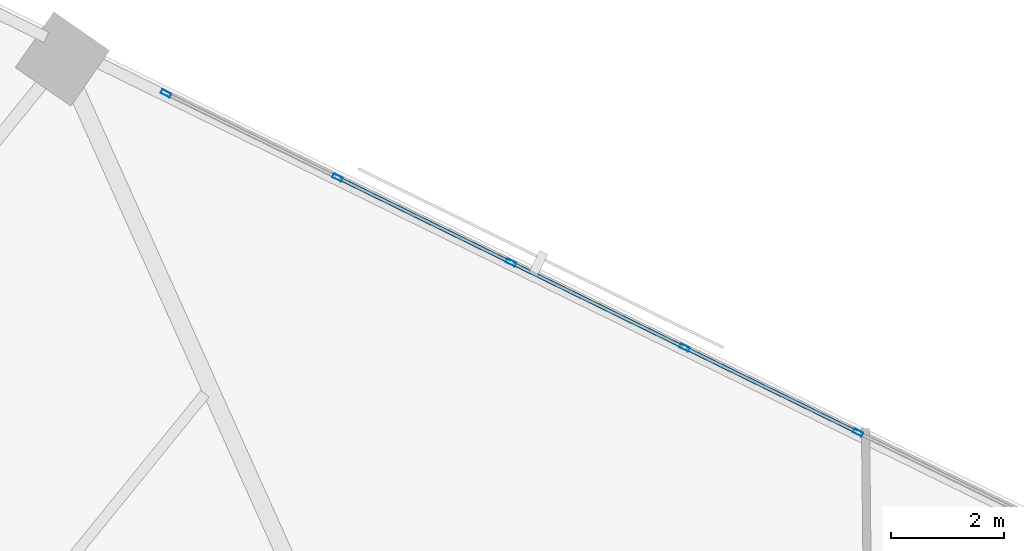
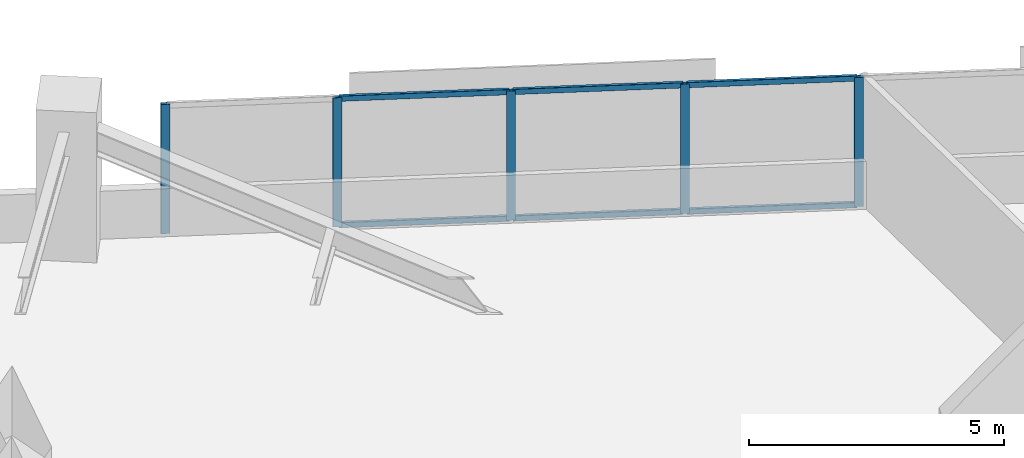
# One storey, part 10 of 20: 11 members, 1 element without a shape of its own.
"""IFC4 building model written with IfcOpenShell, lengths in metres."""

import ifcopenshell
import ifcopenshell.guid

model = None  # the IFC model being written
_history = None  # IfcOwnerHistory: only IFC2X3 demands one
_inside = {}  # id of a spatial element -> (the spatial element, [elements in it])
_under = {}  # id of a project, library or spatial element -> (it, [spatial elements below it])
_declared = {}  # id of a project -> (the project, [libraries it declares])
_typed = {}  # id of a type object -> (the type object, [elements of that type])
_made_of = {}  # id of a material, layer set ... -> (it, [elements and type objects made of it])


def new_model(schema):
    """Start an empty IFC model of exactly this schema.

    Asked for "IFC4X3", IfcOpenShell would pick the latest addendum, in which some entities
    have other attributes; the version numbers below select the first issue.
    IFC2X3 requires an IfcOwnerHistory on every rooted entity: one is made here for all.
    """
    global model, _history
    if schema == "IFC4X3":
        model = ifcopenshell.file(schema_version=(4, 3, 0, 0))
    else:
        model = ifcopenshell.file(schema=schema)
    _inside.clear()
    _under.clear()
    _declared.clear()
    _typed.clear()
    _made_of.clear()
    _history = None
    if model.schema == "IFC2X3":
        org = make("IfcOrganization", Name="unknown")
        user = make(
            "IfcPersonAndOrganization",
            ThePerson=make("IfcPerson", FamilyName="unknown"),
            TheOrganization=org,
        )
        app = make(
            "IfcApplication",
            ApplicationDeveloper=org,
            Version="unknown",
            ApplicationFullName="unknown",
            ApplicationIdentifier="unknown",
        )
        _history = make(
            "IfcOwnerHistory",
            OwningUser=user,
            OwningApplication=app,
            ChangeAction="ADDED",
            CreationDate=0,
        )
    return model


def make(cls, **values):
    """One entity of the class cls with the attributes given. An attribute that is None is left unset."""
    return model.create_entity(
        cls, **{name: value for name, value in values.items() if value is not None}
    )


def rooted(cls, **values):
    """An entity with a GlobalId (a new one), such as an element, a storey or a relation."""
    return make(cls, GlobalId=ifcopenshell.guid.new(), OwnerHistory=_history, **values)


def si_unit(unit_type, name, prefix=None):
    """IfcSIUnit, for example si_unit("LENGTHUNIT", "METRE", prefix="MILLI")."""
    return make("IfcSIUnit", UnitType=unit_type, Prefix=prefix, Name=name)


def assignment(units):
    """IfcUnitAssignment: the units of a project."""
    return None if units is None else make("IfcUnitAssignment", Units=units)


def point(xyz):
    """IfcCartesianPoint."""
    return None if xyz is None else make("IfcCartesianPoint", Coordinates=xyz)


def direction(xyz):
    """IfcDirection."""
    return None if xyz is None else make("IfcDirection", DirectionRatios=xyz)


def frame(location, z_axis=None, x_axis=None):
    """IfcAxis2Placement3D, a coordinate frame: its origin and axes. An axis left out is left unset."""
    return make(
        "IfcAxis2Placement3D",
        Location=point(location),
        Axis=direction(z_axis),
        RefDirection=direction(x_axis),
    )


def frame_2d(location, x_axis=None):
    """IfcAxis2Placement2D, a coordinate frame in the plane: its origin and x axis."""
    return make(
        "IfcAxis2Placement2D", Location=point(location), RefDirection=direction(x_axis)
    )


def origin():
    """The frame at (0, 0, 0) with its axes left unset."""
    return frame((0.0, 0.0, 0.0))


def origin_2d():
    """The frame at (0, 0) in the plane with its x axis left unset."""
    return frame_2d((0.0, 0.0))


def place(relative_to, where):
    """IfcLocalPlacement: puts the frame where relative to a parent placement (None: the world)."""
    return make(
        "IfcLocalPlacement", PlacementRelTo=relative_to, RelativePlacement=where
    )


def context(
    kind, dimensions, precision=None, world=None, true_north=None, identifier=None
):
    """IfcGeometricRepresentationContext, for example the 3D "Model" context."""
    return make(
        "IfcGeometricRepresentationContext",
        ContextIdentifier=identifier,
        ContextType=kind,
        CoordinateSpaceDimension=dimensions,
        Precision=precision,
        WorldCoordinateSystem=world,
        TrueNorth=true_north,
    )


def subcontext(parent, identifier, kind, view, scale=None):
    """IfcGeometricRepresentationSubContext, for example "Body" below "Model"."""
    return make(
        "IfcGeometricRepresentationSubContext",
        ContextIdentifier=identifier,
        ContextType=kind,
        ParentContext=parent,
        TargetScale=scale,
        TargetView=view,
    )


def project(units=None, contexts=None):
    """IfcProject with its units and contexts."""
    return rooted(
        "IfcProject",
        Name="project",
        RepresentationContexts=contexts,
        UnitsInContext=assignment(units),
    )


def spatial(cls, under=None, at=None, **own):
    """A site, building, storey or space (cls), placed at a placement, below another one or the project."""
    s = rooted(cls, ObjectPlacement=at, **own)
    if under is not None:
        _under.setdefault(under.id(), (under, []))[1].append(s)
    return s


def profile(cls, at=None, kind="AREA", **sizes):
    """A parametric profile (cls). Its sizes go by their IFC names, for example OverallWidth=200.0."""
    return make(cls, ProfileType=kind, Position=at, **sizes)


def hollow_rectangle(**sizes):
    """IfcRectangleHollowProfileDef."""
    return profile("IfcRectangleHollowProfileDef", **sizes)


def extrude(swept, where, along, depth):
    """IfcExtrudedAreaSolid: the profile swept, set in the frame where, extruded along a direction by depth."""
    return make(
        "IfcExtrudedAreaSolid",
        SweptArea=swept,
        Position=where,
        ExtrudedDirection=direction(along),
        Depth=depth,
    )


def shape(context_of_items, identifier, shape_type, items):
    """IfcShapeRepresentation: the items that make up one representation, for example the "Body"."""
    return make(
        "IfcShapeRepresentation",
        ContextOfItems=context_of_items,
        RepresentationIdentifier=identifier,
        RepresentationType=shape_type,
        Items=items,
    )


def material(Name=None, Category=None):
    """IfcMaterial."""
    return make("IfcMaterial", Name=Name, Category=Category)


def material_profile(
    of_material, cross_section, Name=None, Category=None, Priority=None
):
    """IfcMaterialProfile: a cross section and its material."""
    return make(
        "IfcMaterialProfile",
        Name=Name,
        Material=of_material,
        Profile=cross_section,
        Priority=Priority,
        Category=Category,
    )


def profile_set(profiles, Name=None, composite=None):
    """IfcMaterialProfileSet."""
    return make(
        "IfcMaterialProfileSet",
        Name=Name,
        MaterialProfiles=profiles,
        CompositeProfile=composite,
    )


def made_of(thing, what):
    """Note that an element or type object is made of a material, layer set ...; save() writes the relation."""
    if what is not None:
        _made_of.setdefault(what.id(), (what, []))[1].append(thing)
    return thing


def type_object(cls, material=None, **own):
    """A type object (cls), such as IfcWallType, which elements share."""
    return made_of(rooted(cls, **own), material)


def element(
    cls,
    number,
    at=None,
    inside=None,
    cuts=None,
    type_object=None,
    material=None,
    context=None,
    identifier="Body",
    shape_type=None,
    held_by="IfcProductDefinitionShape",
    body=None,
    shapes=None,
    **own,
):
    """One element of the class cls, such as IfcWall. Its Tag is "e" and its number.

    at: its placement. inside: the storey or other place that contains it. cuts: it is an
    opening in that element (IfcRelVoidsElement). A single representation is given by context,
    identifier, shape_type and body (its items); several are given by shapes. held_by: the class
    of the entity that holds the representations. save() writes the other relations.
    """
    e = rooted(cls, Tag="e%d" % number, ObjectPlacement=at, **own)
    if body is not None:
        shapes = [shape(context, identifier, shape_type, body)]
    if shapes is not None:
        e.Representation = make(held_by, Representations=shapes)
    if inside is not None:
        _inside.setdefault(inside.id(), (inside, []))[1].append(e)
    if cuts is not None:
        rooted(
            "IfcRelVoidsElement", RelatingBuildingElement=cuts, RelatedOpeningElement=e
        )
    if type_object is not None:
        _typed.setdefault(type_object.id(), (type_object, []))[1].append(e)
    return made_of(e, material)


def aggregate(whole, parts):
    """IfcRelAggregates: a whole, such as a stair, and the parts it consists of."""
    return rooted("IfcRelAggregates", RelatingObject=whole, RelatedObjects=parts)


def save(model, path):
    """Write the relations noted so far, then the file.

    IfcRelAggregates (storeys below a building ...), IfcRelContainedInSpatialStructure (elements
    in a storey), IfcRelDefinesByType, IfcRelAssociatesMaterial and IfcRelDeclares: one each for
    every whole, place, type object, material and project.
    """
    for whole, parts in _under.values():
        aggregate(whole, parts)
    for where, things in _inside.values():
        rooted(
            "IfcRelContainedInSpatialStructure",
            RelatedElements=things,
            RelatingStructure=where,
        )
    for kind, things in _typed.values():
        rooted("IfcRelDefinesByType", RelatedObjects=things, RelatingType=kind)
    for what, things in _made_of.values():
        rooted("IfcRelAssociatesMaterial", RelatedObjects=things, RelatingMaterial=what)
    for by, libraries in _declared.values():
        rooted("IfcRelDeclares", RelatingContext=by, RelatedDefinitions=libraries)
    model.write(path)


model = new_model("IFC4")

# Units and contexts
model_context = context("Model", 3, precision=1e-05, world=origin(), true_north=direction((0.0, 1.0)))
body_context = subcontext(model_context, "Body", "Model", "MODEL_VIEW")
ifc_project = project(units=[si_unit("LENGTHUNIT", "METRE"), si_unit("AREAUNIT", "SQUARE_METRE"), si_unit("VOLUMEUNIT", "CUBIC_METRE"), si_unit("PLANEANGLEUNIT", "RADIAN"), si_unit("MASSUNIT", "GRAM", prefix="KILO")], contexts=[model_context])

# Site, building, storey
site_placement = place(None, origin())
site = spatial("IfcSite", under=ifc_project, at=site_placement, CompositionType="ELEMENT")
building_placement = place(site_placement, origin())
building = spatial("IfcBuilding", under=site, at=building_placement, Name="Narakoshi Arena Tower", CompositionType="ELEMENT")
storey_placement = place(building_placement, frame((0.0, 0.0, 124.5)))
storey = spatial("IfcBuildingStorey", under=building, at=storey_placement, Name="L33", CompositionType="ELEMENT", Elevation=124.5)

# Curtain wall, members
ifc_material = material(Name="Anodised bronze aluminium 6063-T6", Category="aluminium")
curtain_wall_type = type_object("IfcCurtainWallType", Name="CW-HYP-LOW", PredefinedType="NOTDEFINED", material=ifc_material)
curtain_wall_placement = place(storey_placement, origin())
curtain_wall = element("IfcCurtainWall", 1, at=curtain_wall_placement, inside=storey, type_object=curtain_wall_type, Name="L33 Folded Hypotenuse Curtain Wall 2-1", PredefinedType="NOTDEFINED")
ifc_material_profile_1 = material_profile(ifc_material, hollow_rectangle(XDim=0.074951171875, YDim=0.179931640625, WallThickness=0.00390625, OuterFilletRadius=0.0048828125, at=origin_2d()), Name="MUL180x75x4")
ifc_profile_set_1 = profile_set([ifc_material_profile_1], Name="Anodised bronze aluminium 6063-T6")
member_type_1 = type_object("IfcMemberType", Name="MEM-MUL-180", PredefinedType="MULLION", material=ifc_profile_set_1)
member_1_placement = place(storey_placement, frame((78.41259765625, 67.01611328125, 0.0), z_axis=(0.0, 0.0, 1.0), x_axis=(-0.440004510198, -0.89799556291, 0.0)))
member_1 = element("IfcMember", 2, at=member_1_placement, type_object=member_type_1, Name="CW-01 mullion 4", PredefinedType="MULLION", context=body_context, shape_type="SweptSolid", body=[
    extrude(hollow_rectangle(XDim=0.074951171875, YDim=0.179931640625, WallThickness=0.00390625, OuterFilletRadius=0.0048828125, at=origin_2d()), origin(), (0.0, 0.0, 1.0), 3.10009765625),
])
member_2_placement = place(storey_placement, frame((75.33935546875, 68.52197265625, 0.0), z_axis=(0.0, 0.0, 1.0), x_axis=(-0.440004510198, -0.89799556291, 0.0)))
member_2 = element("IfcMember", 3, at=member_2_placement, type_object=member_type_1, Name="CW-01 mullion 5", PredefinedType="MULLION", context=body_context, shape_type="SweptSolid", body=[
    extrude(hollow_rectangle(XDim=0.074951171875, YDim=0.179931640625, WallThickness=0.00390625, OuterFilletRadius=0.0048828125, at=origin_2d()), origin(), (0.0, 0.0, 1.0), 3.10009765625),
])
member_3_placement = place(storey_placement, frame((72.26611328125, 70.028076171875, 0.0), z_axis=(0.0, 0.0, 1.0), x_axis=(-0.440004510198, -0.89799556291, 0.0)))
member_3 = element("IfcMember", 4, at=member_3_placement, type_object=member_type_1, Name="CW-01 mullion 6", PredefinedType="MULLION", context=body_context, shape_type="SweptSolid", body=[
    extrude(hollow_rectangle(XDim=0.074951171875, YDim=0.179931640625, WallThickness=0.00390625, OuterFilletRadius=0.0048828125, at=origin_2d()), origin(), (0.0, 0.0, 1.0), 3.10009765625),
])
member_4_placement = place(storey_placement, frame((69.19287109375, 71.533935546875, 0.0), z_axis=(0.0, 0.0, 1.0), x_axis=(-0.440004510198, -0.89799556291, 0.0)))
member_4 = element("IfcMember", 5, at=member_4_placement, type_object=member_type_1, Name="CW-01 mullion 7", PredefinedType="MULLION", context=body_context, shape_type="SweptSolid", body=[
    extrude(hollow_rectangle(XDim=0.074951171875, YDim=0.179931640625, WallThickness=0.00390625, OuterFilletRadius=0.0048828125, at=origin_2d()), origin(), (0.0, 0.0, 1.0), 3.10009765625),
])
member_5_placement = place(storey_placement, frame((66.153076171875, 73.023193359375, 0.0), z_axis=(0.0, 0.0, 1.0), x_axis=(-0.440004510198, -0.89799556291, 0.0)))
member_5 = element("IfcMember", 6, at=member_5_placement, type_object=member_type_1, Name="CW-01 mullion 8", PredefinedType="MULLION", context=body_context, shape_type="SweptSolid", body=[
    extrude(hollow_rectangle(XDim=0.074951171875, YDim=0.179931640625, WallThickness=0.00390625, OuterFilletRadius=0.0048828125, at=origin_2d()), origin(), (0.0, 0.0, 1.0), 3.10009765625),
])
ifc_material_profile_2 = material_profile(ifc_material, hollow_rectangle(XDim=0.06494140625, YDim=0.1298828125, WallThickness=0.00390625, OuterFilletRadius=0.0048828125, at=origin_2d()), Name="TRN130x65x4")
ifc_profile_set_2 = profile_set([ifc_material_profile_2], Name="Anodised bronze aluminium 6063-T6")
member_type_2 = type_object("IfcMemberType", Name="MEM-TRN-130", PredefinedType="USERDEFINED", material=ifc_profile_set_2)
member_6_placement = place(storey_placement, frame((78.37890625, 67.03271484375, 0.032470703125), z_axis=(-0.897986843255, 0.440022305503, 0.0), x_axis=(-0.440022305503, -0.897986843255, 0.0)))
member_6 = element("IfcMember", 7, at=member_6_placement, type_object=member_type_2, Name="CW-01 transom 4.1", ObjectType="TRANSOM", PredefinedType="USERDEFINED", context=body_context, shape_type="SweptSolid", body=[
    extrude(hollow_rectangle(XDim=0.06494140625, YDim=0.1298828125, WallThickness=0.00390625, OuterFilletRadius=0.0048828125, at=origin_2d()), origin(), (0.0, 0.0, 1.0), 3.347412109375),
])
member_7_placement = place(storey_placement, frame((78.37890625, 67.03271484375, 3.0673828125), z_axis=(-0.897986843255, 0.440022305503, 0.0), x_axis=(-0.440022305503, -0.897986843255, 0.0)))
member_7 = element("IfcMember", 8, at=member_7_placement, type_object=member_type_2, Name="CW-01 transom 4.2", ObjectType="TRANSOM", PredefinedType="USERDEFINED", context=body_context, shape_type="SweptSolid", body=[
    extrude(hollow_rectangle(XDim=0.06494140625, YDim=0.1298828125, WallThickness=0.00390625, OuterFilletRadius=0.0048828125, at=origin_2d()), origin(), (0.0, 0.0, 1.0), 3.347412109375),
])
member_8_placement = place(storey_placement, frame((75.3056640625, 68.53857421875, 0.032470703125), z_axis=(-0.897986843255, 0.440022305503, 0.0), x_axis=(-0.440022305503, -0.897986843255, 0.0)))
member_8 = element("IfcMember", 9, at=member_8_placement, type_object=member_type_2, Name="CW-01 transom 5.1", ObjectType="TRANSOM", PredefinedType="USERDEFINED", context=body_context, shape_type="SweptSolid", body=[
    extrude(hollow_rectangle(XDim=0.06494140625, YDim=0.1298828125, WallThickness=0.00390625, OuterFilletRadius=0.0048828125, at=origin_2d()), origin(), (0.0, 0.0, 1.0), 3.347412109375),
])
member_9_placement = place(storey_placement, frame((75.3056640625, 68.53857421875, 3.0673828125), z_axis=(-0.897986843255, 0.440022305503, 0.0), x_axis=(-0.440022305503, -0.897986843255, 0.0)))
member_9 = element("IfcMember", 10, at=member_9_placement, type_object=member_type_2, Name="CW-01 transom 5.2", ObjectType="TRANSOM", PredefinedType="USERDEFINED", context=body_context, shape_type="SweptSolid", body=[
    extrude(hollow_rectangle(XDim=0.06494140625, YDim=0.1298828125, WallThickness=0.00390625, OuterFilletRadius=0.0048828125, at=origin_2d()), origin(), (0.0, 0.0, 1.0), 3.347412109375),
])
member_10_placement = place(storey_placement, frame((72.232421875, 70.04443359375, 0.032470703125), z_axis=(-0.897986843255, 0.440022305503, 0.0), x_axis=(-0.440022305503, -0.897986843255, 0.0)))
member_10 = element("IfcMember", 11, at=member_10_placement, type_object=member_type_2, Name="CW-01 transom 6.1", ObjectType="TRANSOM", PredefinedType="USERDEFINED", context=body_context, shape_type="SweptSolid", body=[
    extrude(hollow_rectangle(XDim=0.06494140625, YDim=0.1298828125, WallThickness=0.00390625, OuterFilletRadius=0.0048828125, at=origin_2d()), origin(), (0.0, 0.0, 1.0), 3.347412109375),
])
member_11_placement = place(storey_placement, frame((72.232421875, 70.04443359375, 3.0673828125), z_axis=(-0.897986843255, 0.440022305503, 0.0), x_axis=(-0.440022305503, -0.897986843255, 0.0)))
member_11 = element("IfcMember", 12, at=member_11_placement, type_object=member_type_2, Name="CW-01 transom 6.2", ObjectType="TRANSOM", PredefinedType="USERDEFINED", context=body_context, shape_type="SweptSolid", body=[
    extrude(hollow_rectangle(XDim=0.06494140625, YDim=0.1298828125, WallThickness=0.00390625, OuterFilletRadius=0.0048828125, at=origin_2d()), origin(), (0.0, 0.0, 1.0), 3.347412109375),
])
aggregate(curtain_wall, [member_1, member_2, member_3, member_4, member_5, member_6, member_7, member_8, member_9, member_10, member_11])

save(model, "model.ifc")
